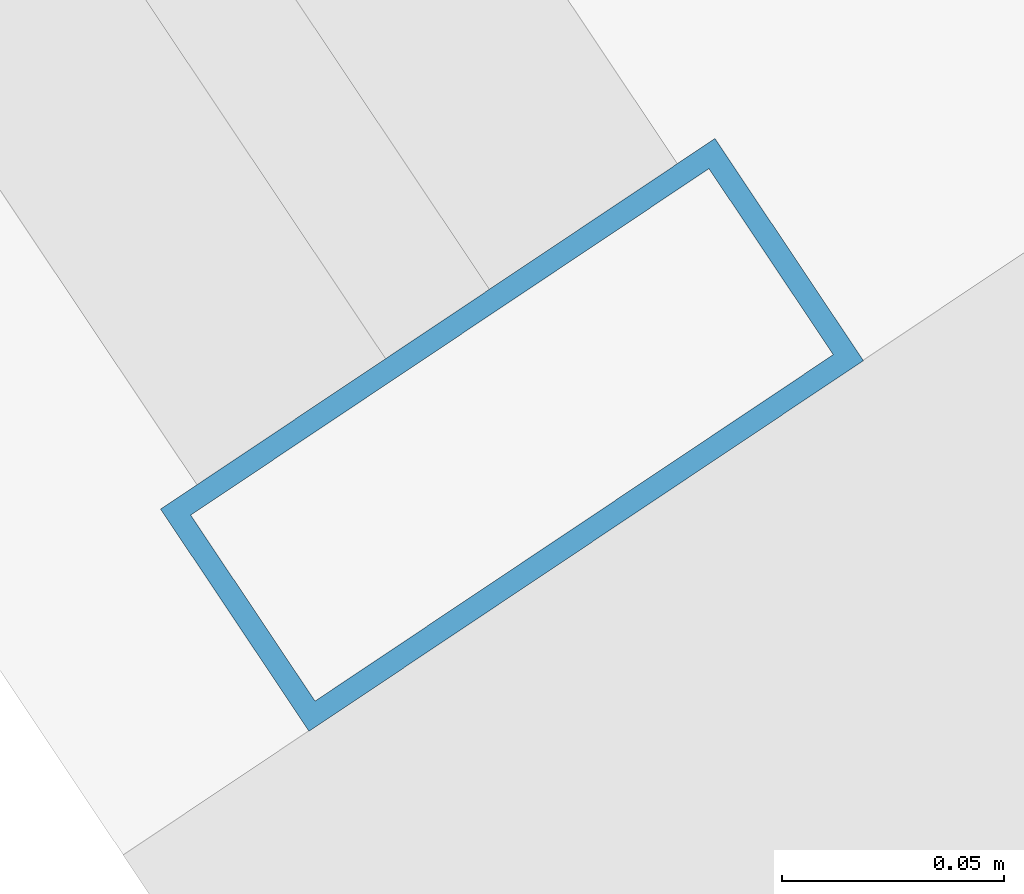
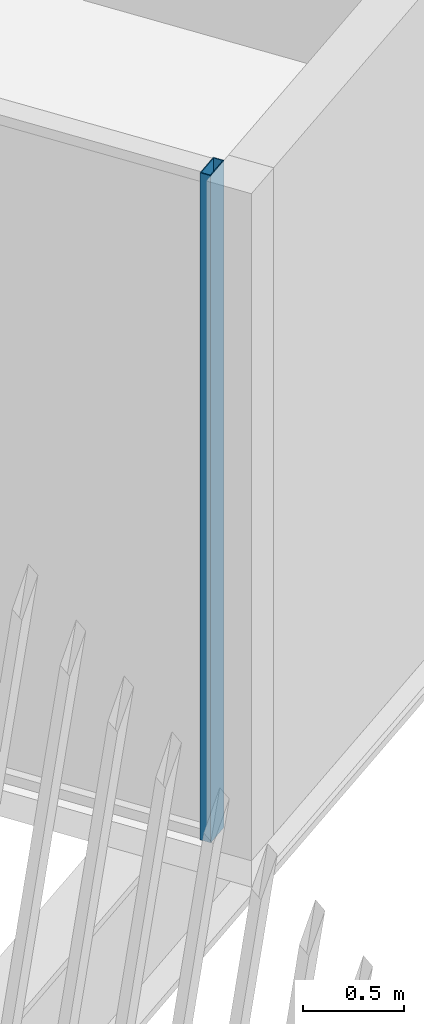
# One storey, part 6 of 28: 1 member, 1 element without a shape of its own.
"""IFC4 building model written with IfcOpenShell, lengths in metres."""

from ifc_helpers import new_model, si_unit, direction, frame, origin, origin_2d, place, context, subcontext, project, spatial, hollow_rectangle, extrude, material, layer, layer_set, material_profile, profile_set, type_object, element, aggregate, save


model = new_model("IFC4")

# Units and contexts
model_context = context("Model", 3, precision=1e-05, world=origin(), true_north=direction((0.0, 1.0)))
body_context = subcontext(model_context, "Body", "Model", "MODEL_VIEW")
ifc_project = project(units=[si_unit("LENGTHUNIT", "METRE"), si_unit("AREAUNIT", "SQUARE_METRE"), si_unit("VOLUMEUNIT", "CUBIC_METRE"), si_unit("PLANEANGLEUNIT", "RADIAN"), si_unit("MASSUNIT", "GRAM", prefix="KILO")], contexts=[model_context])

# Site, building, storey
site_placement = place(None, origin())
site = spatial("IfcSite", under=ifc_project, at=site_placement, CompositionType="ELEMENT")
building_placement = place(site_placement, origin())
building = spatial("IfcBuilding", under=site, at=building_placement, Name="Tarsis Ring Headquarters", CompositionType="ELEMENT")
storey_placement = place(building_placement, frame((0.0, 0.0, 365.0)))
storey = spatial("IfcBuildingStorey", under=building, at=storey_placement, Name="L86", CompositionType="ELEMENT", Elevation=365.0)

# Curtain wall, member
ifc_material_1 = material(Name="Aluminium curtain wall", Category="aluminium")
ifc_layer = layer(ifc_material_1, 0.14990234375)
ifc_layer_set = layer_set([ifc_layer], Name="Curtain wall tower unit")
curtain_wall_type = type_object("IfcCurtainWallType", Name="Curtain wall tower unit", PredefinedType="NOTDEFINED", material=ifc_layer_set)
curtain_wall_placement = place(storey_placement, origin())
curtain_wall = element("IfcCurtainWall", 1, at=curtain_wall_placement, inside=storey, type_object=curtain_wall_type, Name="Curtain wall L86-06", PredefinedType="NOTDEFINED")
ifc_material_2 = material(Name="Aluminium mullion", Category="aluminium")
ifc_material_profile = material_profile(ifc_material_2, hollow_rectangle(XDim=0.14990234375, YDim=0.06005859375, WallThickness=0.0048828125, at=origin_2d()), Name="RHS 150x60x5")
ifc_profile_set = profile_set([ifc_material_profile], Name="Aluminium mullion")
member_type = type_object("IfcMemberType", Name="Curtain wall mullion tower unit RHS 150x60x5", PredefinedType="MULLION", material=ifc_profile_set)
member_placement = place(storey_placement, frame((5.531982421875, -29.644775390625, 0.0), z_axis=(0.0, 0.0, 1.0), x_axis=(0.831372494199, 0.555715553038, 0.0)))
member = element("IfcMember", 2, at=member_placement, type_object=member_type, Name="CW-T mullion 3", PredefinedType="MULLION", context=body_context, shape_type="SweptSolid", body=[
    extrude(hollow_rectangle(XDim=0.14990234375, YDim=0.06005859375, WallThickness=0.0048828125, at=origin_2d()), origin(), (0.0, 0.0, 1.0), 4.0400390625),
])
aggregate(curtain_wall, [member])

save(model, "model.ifc")
